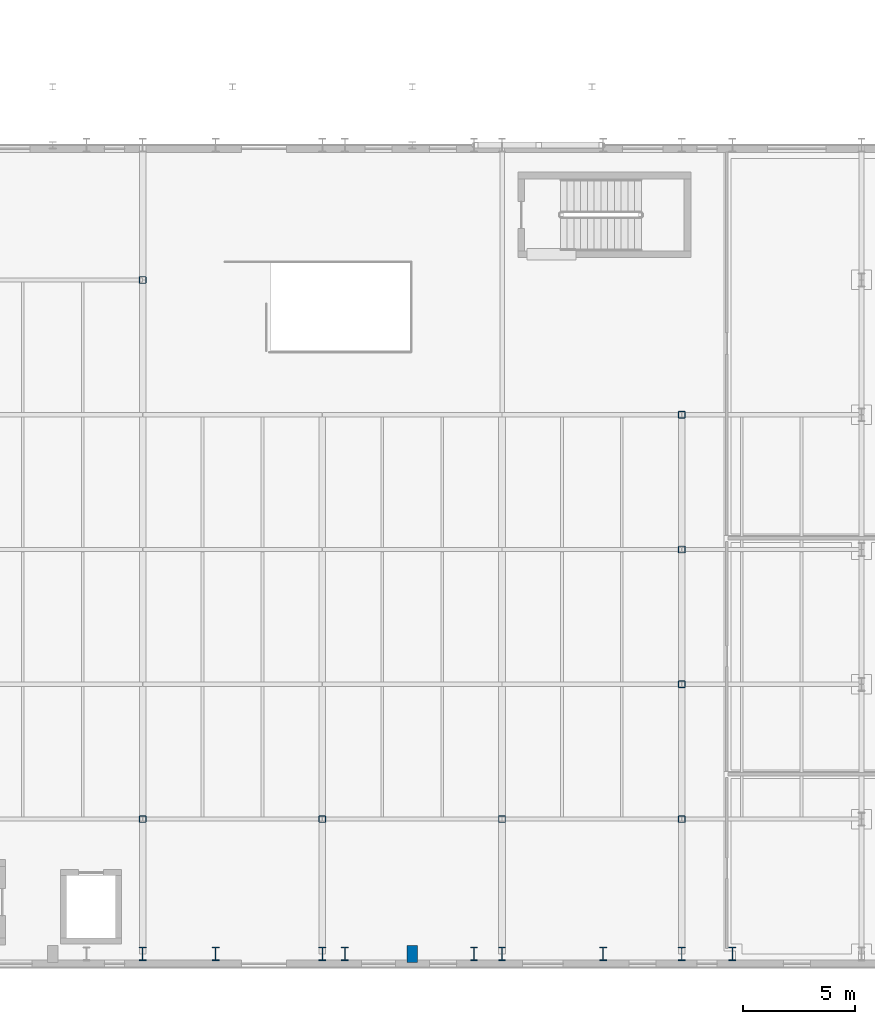
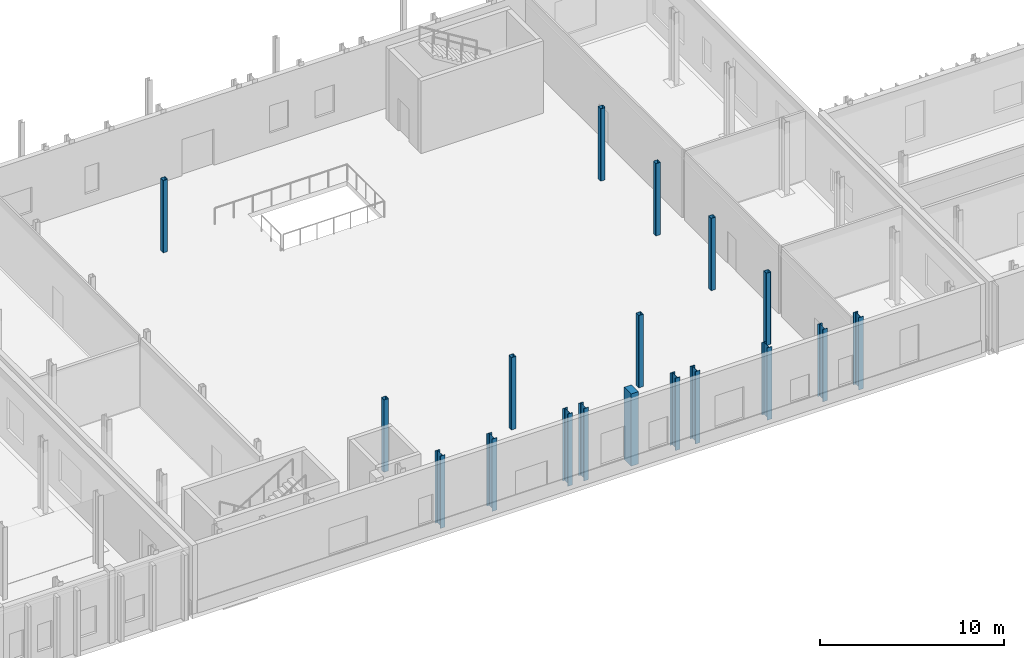
# One storey, part 5 of 60: 18 columns.
"""IFC4 building model written with IfcOpenShell, lengths in metres."""

from ifc_helpers import new_model, si_unit, direction, frame, origin, origin_2d, place, context, subcontext, project, spatial, rectangle, hollow_rectangle, i_section, extrude, material, material_profile, profile_set, type_object, element, save


model = new_model("IFC4")

# Units and contexts
model_context = context("Model", 3, precision=1e-05, world=origin(), true_north=direction((0.0, 1.0)))
body_context = subcontext(model_context, "Body", "Model", "MODEL_VIEW")
ifc_project = project(units=[si_unit("LENGTHUNIT", "METRE"), si_unit("AREAUNIT", "SQUARE_METRE"), si_unit("VOLUMEUNIT", "CUBIC_METRE"), si_unit("PLANEANGLEUNIT", "RADIAN"), si_unit("MASSUNIT", "GRAM", prefix="KILO")], contexts=[model_context])

# Site, building, storey
site_placement = place(None, origin())
site = spatial("IfcSite", under=ifc_project, at=site_placement, CompositionType="ELEMENT")
building_placement = place(site_placement, origin())
building = spatial("IfcBuilding", under=site, at=building_placement, Name="Cymarion Research Institute", CompositionType="ELEMENT")
storey_placement = place(building_placement, origin())
storey = spatial("IfcBuildingStorey", under=building, at=storey_placement, Name="L00", CompositionType="ELEMENT", Elevation=0.0)

# Columns
ifc_material_1 = material(Name="Concrete C40/50", Category="concrete")
ifc_material_profile_1 = material_profile(ifc_material_1, rectangle(XDim=0.449951171875, YDim=0.75, at=origin_2d()), Name="RC 450x750")
ifc_profile_set_1 = profile_set([ifc_material_profile_1], Name="Concrete C40/50")
column_type_1 = type_object("IfcColumnType", Name="CONCRETE PILASTER PL03 RC 450x750", PredefinedType="PILASTER", material=ifc_profile_set_1)
column_placement = place(storey_placement, frame((82.60009765625, 5.5, 0.0), z_axis=(0.0, 0.0, 1.0), x_axis=(1.0, 0.0, 0.0)))
element("IfcColumn", 1, at=column_placement, inside=storey, type_object=column_type_1, Name="L00 V2 column PL03 #372", PredefinedType="PILASTER", context=body_context, shape_type="SweptSolid", body=[
    extrude(rectangle(XDim=0.449951171875, YDim=0.75, at=origin_2d()), origin(), (0.0, 0.0, 1.0), 4.800048828125),
])
ifc_material_2 = material(Name="Steel S355", Category="steel")
ifc_material_profile_2 = material_profile(ifc_material_2, i_section(OverallWidth=0.300048828125, OverallDepth=0.60009765625, WebThickness=0.015380859375, FlangeThickness=0.030029296875, FilletRadius=0.027099609375, at=origin_2d()), Name="HEB 600")
ifc_profile_set_2 = profile_set([ifc_material_profile_2], Name="Steel S355")
column_type_2 = type_object("IfcColumnType", Name="STRUCTURAL COLUMN C02 HEB 600", PredefinedType="COLUMN", material=ifc_profile_set_2)
for number, where, z_axis, x_axis, name in (
    (2, (70.60009765625, 5.5, 0.0), (0.0, 0.0, 1.0), (1.0, 0.0, 0.0), "L00 V2 column C02 #360"),
    (3, (73.85009765625, 5.5, 0.0), (0.0, 0.0, 1.0), (1.0, 0.0, 0.0), "L00 V2 column C02 #364"),
    (4, (78.60009765625, 5.5, 0.0), (0.0, 0.0, 1.0), (1.0, 0.0, 0.0), "L00 V2 column C02 #367"),
    (5, (79.60009765625, 5.5, 0.0), (0.0, 0.0, 1.0), (1.0, 0.0, 0.0), "L00 V2 column C02 #370"),
    (6, (85.35009765625, 5.5, 0.0), (0.0, 0.0, 1.0), (1.0, 0.0, 0.0), "L00 V2 column C02 #375"),
    (7, (86.60009765625, 5.5, 0.0), (0.0, 0.0, 1.0), (1.0, 0.0, 0.0), "L00 V2 column C02 #377"),
    (8, (91.10009765625, 5.5, 0.0), (0.0, 0.0, 1.0), (1.0, 0.0, 0.0), "L00 V2 column C02 #381"),
    (9, (94.60009765625, 5.5, 0.0), (0.0, 0.0, 1.0), (1.0, 0.0, 0.0), "L00 V2 column C02 #383"),
    (10, (96.85009765625, 5.5, 0.0), (0.0, 0.0, 1.0), (1.0, 0.0, 0.0), "L00 V2 column C02 #389"),
):
    element("IfcColumn", number, at=place(storey_placement, frame(where, z_axis=z_axis, x_axis=x_axis)), inside=storey, type_object=column_type_2, Name=name, PredefinedType="COLUMN", context=body_context, shape_type="SweptSolid", body=[
        extrude(i_section(OverallWidth=0.300048828125, OverallDepth=0.60009765625, WebThickness=0.015380859375, FlangeThickness=0.030029296875, FilletRadius=0.027099609375, at=origin_2d()), origin(), (0.0, 0.0, 1.0), 4.800048828125),
    ])
ifc_material_profile_3 = material_profile(ifc_material_2, hollow_rectangle(XDim=0.300048828125, YDim=0.300048828125, WallThickness=0.012451171875, InnerFilletRadius=0.018798828125, OuterFilletRadius=0.03125, at=origin_2d()), Name="SHS 300x300x12.5")
ifc_profile_set_3 = profile_set([ifc_material_profile_3], Name="Steel S355")
column_type_3 = type_object("IfcColumnType", Name="STRUCTURAL COLUMN C14 SHS 300x300x12.5", PredefinedType="COLUMN", material=ifc_profile_set_3)
for number, where, z_axis, x_axis, name in (
    (11, (70.60009765625, 11.5, 0.0), (0.0, 0.0, 1.0), (1.0, 0.0, 0.0), "L00 V2 column C14 #361"),
    (12, (70.60009765625, 35.5, 0.0), (0.0, 0.0, 1.0), (1.0, 0.0, 0.0), "L00 V2 column C14 #362"),
    (13, (78.60009765625, 11.5, 0.0), (0.0, 0.0, 1.0), (1.0, 0.0, 0.0), "L00 V2 column C14 #368"),
    (14, (86.60009765625, 11.5, 0.0), (0.0, 0.0, 1.0), (1.0, 0.0, 0.0), "L00 V2 column C14 #378"),
    (15, (94.60009765625, 11.5, 0.0), (0.0, 0.0, 1.0), (1.0, 0.0, 0.0), "L00 V2 column C14 #384"),
    (16, (94.60009765625, 17.5, 0.0), (0.0, 0.0, 1.0), (1.0, 0.0, 0.0), "L00 V2 column C14 #385"),
    (17, (94.60009765625, 23.5, 0.0), (0.0, 0.0, 1.0), (1.0, 0.0, 0.0), "L00 V2 column C14 #386"),
    (18, (94.60009765625, 29.5, 0.0), (0.0, 0.0, 1.0), (1.0, 0.0, 0.0), "L00 V2 column C14 #387"),
):
    element("IfcColumn", number, at=place(storey_placement, frame(where, z_axis=z_axis, x_axis=x_axis)), inside=storey, type_object=column_type_3, Name=name, PredefinedType="COLUMN", context=body_context, shape_type="SweptSolid", body=[
        extrude(hollow_rectangle(XDim=0.300048828125, YDim=0.300048828125, WallThickness=0.012451171875, InnerFilletRadius=0.018798828125, OuterFilletRadius=0.03125, at=origin_2d()), origin(), (0.0, 0.0, 1.0), 4.800048828125),
    ])

save(model, "model.ifc")
